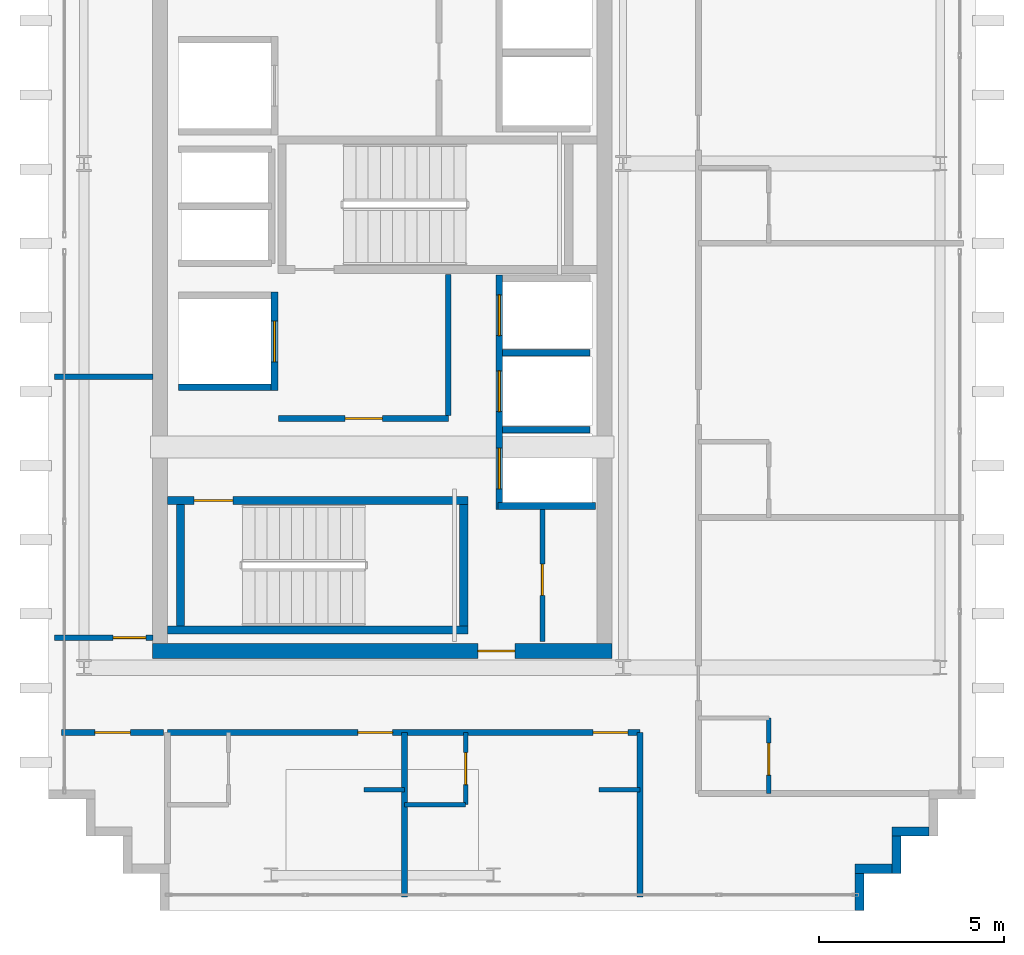
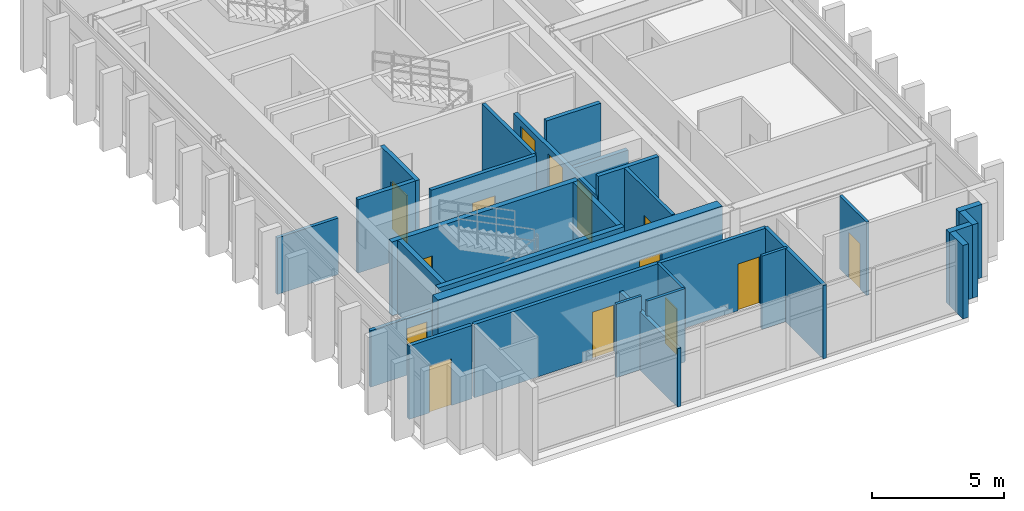
# One storey, part 12 of 15: 29 walls, 14 doors, 14 openings.
"""IFC4 building model written with IfcOpenShell, lengths in metres."""

from ifc_helpers import new_model, si_unit, direction, frame, frame_2d, origin, place, context, subcontext, project, spatial, rectangle, extrude, source, transform, mapped, material, layer, layer_set, type_object, element, fill, save


model = new_model("IFC4")

# Units and contexts
model_context = context("Model", 3, precision=1e-05, world=origin(), true_north=direction((0.0, 1.0)))
body_context = subcontext(model_context, "Body", "Model", "MODEL_VIEW")
ifc_project = project(units=[si_unit("LENGTHUNIT", "METRE"), si_unit("AREAUNIT", "SQUARE_METRE"), si_unit("VOLUMEUNIT", "CUBIC_METRE"), si_unit("PLANEANGLEUNIT", "RADIAN"), si_unit("MASSUNIT", "GRAM", prefix="KILO")], contexts=[model_context])

# Site, building, storey
site_placement = place(None, origin())
site = spatial("IfcSite", under=ifc_project, at=site_placement, CompositionType="ELEMENT")
building_placement = place(site_placement, origin())
building = spatial("IfcBuilding", under=site, at=building_placement, Name="Ocotamira Hotel", CompositionType="ELEMENT")
storey_placement = place(building_placement, frame((0.0, 0.0, 283.199951171875)))
storey = spatial("IfcBuildingStorey", under=building, at=storey_placement, Name="L72", CompositionType="ELEMENT", Elevation=283.199951171875)

# Wall, opening, door
ifc_material_1 = material(Name="Concrete C50/60", Category="concrete")
ifc_layer_1 = layer(ifc_material_1, 0.39990234375)
ifc_layer_set_1 = layer_set([ifc_layer_1], Name="Concrete C50/60")
wall_type_1 = type_object("IfcWallType", Name="WL-CORE-400", PredefinedType="SHEAR", material=ifc_layer_set_1)
wall_1_placement = place(storey_placement, frame((10.800048828125, 15.0, 0.0), z_axis=(0.0, 0.0, 1.0), x_axis=(1.0, 0.0, 0.0)))
wall_1 = element("IfcWall", 1, at=wall_1_placement, inside=storey, type_object=wall_type_1, Name="L72 Shear Core Wall WCORE-S", PredefinedType="SHEAR", context=body_context, shape_type="SweptSolid", body=[
    extrude(rectangle(XDim=12.39990234375, YDim=0.39990234375, at=frame_2d((6.199951171875, 0.0))), origin(), (0.0, 0.0, 1.0), 3.380126953125),
])
opening_1_placement = place(wall_1_placement, frame((8.780029296875, 0.0, 0.0)))
opening_1 = element("IfcOpeningElement", 2, at=opening_1_placement, cuts=wall_1, Name="Opening D-FR2", PredefinedType="OPENING", context=body_context, shape_type="SweptSolid", body=[
    extrude(rectangle(XDim=1.0, YDim=2.14990234375, at=frame_2d((0.5, 1.074951171875))), frame((0.0, 0.2099609375, 0.0), z_axis=(0.0, -1.0, 0.0), x_axis=(1.0, 0.0, 0.0)), (0.0, 0.0, 1.0), 0.419921875),
])
ifc_material_2 = material(Name="Fire-rated acoustic timber-veneer door", Category="wood")
door_type_1 = type_object("IfcDoorType", Name="DR-FIRE-1000", OperationType="NOTDEFINED", PredefinedType="DOOR", material=ifc_material_2)
shared_shape_1 = source(origin(), body_context, "Body", "SweptSolid", [
    extrude(rectangle(XDim=1.0, YDim=2.14990234375, at=frame_2d((0.5, 1.074951171875))), frame((0.0, 0.02490234375, 0.0), z_axis=(0.0, -1.0, 0.0), x_axis=(1.0, 0.0, 0.0)), (0.0, 0.0, 1.0), 0.050048828125),
])
door_1_placement = place(opening_1_placement, origin())
door_1 = element("IfcDoor", 3, at=door_1_placement, inside=storey, type_object=door_type_1, Name="L72 Door ID-L72-WLOB-S-D [ID-L72-WLOB-S-D]", OperationType="SINGLE_SWING_LEFT", OverallHeight=2.14990234375, OverallWidth=1.0, PredefinedType="DOOR", context=body_context, shape_type="MappedRepresentation", body=[
    mapped(shared_shape_1, transform((0.0, 0.0, 0.0), scale=1.0)),
])
fill(opening_1, door_1)

# Walls
ifc_material_3 = material(Name="Precast concrete C45/55", Category="concrete")
ifc_layer_2 = layer(ifc_material_3, 0.25)
ifc_layer_set_2 = layer_set([ifc_layer_2], Name="Precast concrete C45/55")
wall_type_2 = type_object("IfcWallType", Name="WL-EXT-SER-250", PredefinedType="SOLIDWALL", material=ifc_layer_set_2)
for number, where, z_axis, x_axis, name in (
    (4, (29.875, 8.0, 0.0), (0.0, 0.0, 1.0), (0.0, 1.0, 0.0), "L72 Serrated Corner Wall 01"),
    (5, (29.75, 9.125, 0.0), (0.0, 0.0, 1.0), (1.0, 0.0, 0.0), "L72 Serrated Corner Wall 02"),
    (6, (30.875, 9.0, 0.0), (0.0, 0.0, 1.0), (0.0, 1.0, 0.0), "L72 Serrated Corner Wall 03"),
    (7, (30.75, 10.125, 0.0), (0.0, 0.0, 1.0), (1.0, 0.0, 0.0), "L72 Serrated Corner Wall 04"),
):
    element("IfcWall", number, at=place(storey_placement, frame(where, z_axis=z_axis, x_axis=x_axis)), inside=storey, type_object=wall_type_2, Name=name, PredefinedType="SOLIDWALL", context=body_context, shape_type="SweptSolid", body=[
        extrude(rectangle(XDim=1.0, YDim=0.25, at=frame_2d((0.5, 0.0))), origin(), (0.0, 0.0, 1.0), 3.380126953125),
    ])

# Wall, opening, door
ifc_material_4 = material(Name="Acoustic double-layer fire gypsum board partition", Category="gypsum")
ifc_layer_3 = layer(ifc_material_4, 0.159912109375)
ifc_layer_set_3 = layer_set([ifc_layer_3], Name="Acoustic double-layer fire gypsum board partition")
wall_type_3 = type_object("IfcWallType", Name="WL-FIRE-160", PredefinedType="PARTITIONING", material=ifc_layer_set_3)
wall_2_placement = place(storey_placement, frame((14.199951171875, 21.27001953125, 0.0), z_axis=(0.0, 0.0, 1.0), x_axis=(1.0, 0.0, 0.0)))
wall_2 = element("IfcWall", 8, at=wall_2_placement, inside=storey, type_object=wall_type_3, Name="L72 Interior Wall PW-L72-FSAE1-S", PredefinedType="PARTITIONING", context=body_context, shape_type="SweptSolid", body=[
    extrude(rectangle(XDim=4.580078125, YDim=0.159912109375, at=frame_2d((2.2900390625, 0.0))), origin(), (0.0, 0.0, 1.0), 3.380126953125),
])
opening_2_placement = place(wall_2_placement, frame((1.800048828125, 0.0, 0.0)))
opening_2 = element("IfcOpeningElement", 9, at=opening_2_placement, cuts=wall_2, Name="Opening D-FR2", PredefinedType="OPENING", context=body_context, shape_type="SweptSolid", body=[
    extrude(rectangle(XDim=1.0, YDim=2.14990234375, at=frame_2d((0.5, 1.074951171875))), frame((0.0, 0.08984375, 0.0), z_axis=(0.0, -1.0, 0.0), x_axis=(1.0, 0.0, 0.0)), (0.0, 0.0, 1.0), 0.179931640625),
])
door_2_placement = place(opening_2_placement, origin())
door_2 = element("IfcDoor", 10, at=door_2_placement, inside=storey, type_object=door_type_1, Name="L72 Door ID-L72-FSAE1-D [ID-L72-FSAE1-D]", OperationType="SINGLE_SWING_LEFT", OverallHeight=2.14990234375, OverallWidth=1.0, PredefinedType="DOOR", context=body_context, shape_type="MappedRepresentation", body=[
    mapped(shared_shape_1, transform((0.0, 0.0, 0.0), scale=1.0)),
])
fill(opening_2, door_2)

# Wall
wall_3_placement = place(storey_placement, frame((18.780029296875, 21.35009765625, 0.0), z_axis=(0.0, 0.0, 1.0), x_axis=(0.0, 1.0, 0.0)))
element("IfcWall", 11, at=wall_3_placement, inside=storey, type_object=wall_type_3, Name="L72 Interior Wall PW-L72-FSAE1-E", PredefinedType="PARTITIONING", context=body_context, shape_type="SweptSolid", body=[
    extrude(rectangle(XDim=3.809814453125, YDim=0.159912109375, at=frame_2d((1.90478515625, 0.0))), origin(), (0.0, 0.0, 1.0), 3.380126953125),
])

# Wall, openings, doors
wall_4_placement = place(storey_placement, frame((11.199951171875, 12.800048828125, 0.0), z_axis=(0.0, 0.0, 1.0), x_axis=(1.0, 0.0, 0.0)))
wall_4 = element("IfcWall", 12, at=wall_4_placement, inside=storey, type_object=wall_type_3, Name="L72 Interior Wall PW-L72-WP1S-CORRW", PredefinedType="PARTITIONING", context=body_context, shape_type="SweptSolid", body=[
    extrude(rectangle(XDim=12.75, YDim=0.159912109375, at=frame_2d((6.375, 0.0))), origin(), (0.0, 0.0, 1.0), 3.380126953125),
])
opening_3_placement = place(wall_4_placement, frame((5.139892578125, 0.0, 0.0)))
opening_3 = element("IfcOpeningElement", 13, at=opening_3_placement, cuts=wall_4, Name="Opening D-GR1", PredefinedType="OPENING", context=body_context, shape_type="SweptSolid", body=[
    extrude(rectangle(XDim=0.93994140625, YDim=2.14990234375, at=frame_2d((0.469970703125, 1.074951171875))), frame((0.0, 0.08984375, 0.0), z_axis=(0.0, -1.0, 0.0), x_axis=(1.0, 0.0, 0.0)), (0.0, 0.0, 1.0), 0.179931640625),
])
opening_4_placement = place(wall_4_placement, frame((11.489990234375, 0.0, 0.0)))
opening_4 = element("IfcOpeningElement", 14, at=opening_4_placement, cuts=wall_4, Name="Opening D-GR1", PredefinedType="OPENING", context=body_context, shape_type="SweptSolid", body=[
    extrude(rectangle(XDim=0.93994140625, YDim=2.14990234375, at=frame_2d((0.469970703125, 1.074951171875))), frame((0.0, 0.08984375, 0.0), z_axis=(0.0, -1.0, 0.0), x_axis=(1.0, 0.0, 0.0)), (0.0, 0.0, 1.0), 0.179931640625),
])
ifc_material_5 = material(Name="Solid-core walnut suite entrance fire door", Category="wood")
door_type_2 = type_object("IfcDoorType", Name="DR-GUEST-940", OperationType="NOTDEFINED", PredefinedType="DOOR", material=ifc_material_5)
shared_shape_2 = source(origin(), body_context, "Body", "SweptSolid", [
    extrude(rectangle(XDim=0.93994140625, YDim=2.14990234375, at=frame_2d((0.469970703125, 1.074951171875))), frame((0.0, 0.02490234375, 0.0), z_axis=(0.0, -1.0, 0.0), x_axis=(1.0, 0.0, 0.0)), (0.0, 0.0, 1.0), 0.050048828125),
])
door_3_placement = place(opening_3_placement, origin())
door_3 = element("IfcDoor", 15, at=door_3_placement, inside=storey, type_object=door_type_2, Name="L72 Door ID-L72-WP1S-RMD1 [ID-L72-WP1S-RMD1]", OperationType="SINGLE_SWING_LEFT", OverallHeight=2.14990234375, OverallWidth=0.93994140625, PredefinedType="DOOR", context=body_context, shape_type="MappedRepresentation", body=[
    mapped(shared_shape_2, transform((0.0, 0.0, 0.0), scale=1.0)),
])
fill(opening_3, door_3)
door_4_placement = place(opening_4_placement, origin())
door_4 = element("IfcDoor", 16, at=door_4_placement, inside=storey, type_object=door_type_2, Name="L72 Door ID-L72-WP1S-RMD2 [ID-L72-WP1S-RMD2]", OperationType="SINGLE_SWING_RIGHT", OverallHeight=2.14990234375, OverallWidth=0.93994140625, PredefinedType="DOOR", context=body_context, shape_type="MappedRepresentation", body=[
    mapped(shared_shape_2, transform((0.0, 0.0, 0.0), scale=1.0)),
])
fill(opening_4, door_4)

# Wall, opening, door
wall_5_placement = place(storey_placement, frame((8.35009765625, 12.800048828125, 0.0), z_axis=(0.0, 0.0, 1.0), x_axis=(1.0, 0.0, 0.0)))
wall_5 = element("IfcWall", 17, at=wall_5_placement, inside=storey, type_object=wall_type_3, Name="L72 Interior Wall PW-L72-WPCSW1-CW", PredefinedType="PARTITIONING", context=body_context, shape_type="SweptSolid", body=[
    extrude(rectangle(XDim=2.75, YDim=0.159912109375, at=frame_2d((1.375, 0.0))), origin(), (0.0, 0.0, 1.0), 3.380126953125),
])
opening_5_placement = place(wall_5_placement, frame((0.89501953125, 0.0, 0.0)))
opening_5 = element("IfcOpeningElement", 18, at=opening_5_placement, cuts=wall_5, Name="Opening D-SV4", PredefinedType="OPENING", context=body_context, shape_type="SweptSolid", body=[
    extrude(rectangle(XDim=0.9599609375, YDim=2.14990234375, at=frame_2d((0.47998046875, 1.074951171875))), frame((0.0, 0.08984375, 0.0), z_axis=(0.0, -1.0, 0.0), x_axis=(1.0, 0.0, 0.0)), (0.0, 0.0, 1.0), 0.179931640625),
])
ifc_material_6 = material(Name="Fire-rated accessible walnut salon door", Category="wood")
door_type_3 = type_object("IfcDoorType", Name="DR-SERV-960", OperationType="NOTDEFINED", PredefinedType="DOOR", material=ifc_material_6)
shared_shape_3 = source(origin(), body_context, "Body", "SweptSolid", [
    extrude(rectangle(XDim=0.9599609375, YDim=2.14990234375, at=frame_2d((0.47998046875, 1.074951171875))), frame((0.0, 0.02490234375, 0.0), z_axis=(0.0, -1.0, 0.0), x_axis=(1.0, 0.0, 0.0)), (0.0, 0.0, 1.0), 0.050048828125),
])
door_5_placement = place(opening_5_placement, origin())
door_5 = element("IfcDoor", 19, at=door_5_placement, inside=storey, type_object=door_type_3, Name="L72 Door ID-L72-WPCSW1-CD [ID-L72-WPCSW1-CD]", OperationType="SINGLE_SWING_LEFT", OverallHeight=2.14990234375, OverallWidth=0.9599609375, PredefinedType="DOOR", context=body_context, shape_type="MappedRepresentation", body=[
    mapped(shared_shape_3, transform((0.0, 0.0, 0.0), scale=1.0)),
])
fill(opening_5, door_5)

# Wall
ifc_material_7 = material(Name="Moisture-resistant en-suite tile and gypsum partition", Category="gypsum")
ifc_layer_4 = layer(ifc_material_7, 0.1201171875)
ifc_layer_set_4 = layer_set([ifc_layer_4], Name="Moisture-resistant en-suite tile and gypsum partition")
wall_type_4 = type_object("IfcWallType", Name="WL-PART-120", PredefinedType="PARTITIONING", material=ifc_layer_set_4)
wall_6_placement = place(storey_placement, frame((16.5, 11.25, 0.0), z_axis=(0.0, 0.0, 1.0), x_axis=(1.0, 0.0, 0.0)))
element("IfcWall", 20, at=wall_6_placement, inside=storey, type_object=wall_type_4, Name="L72 Interior Wall PW-L72-WP1S-DRN1", PredefinedType="PARTITIONING", context=body_context, shape_type="SweptSolid", body=[
    extrude(rectangle(XDim=1.10009765625, YDim=0.1201171875, at=frame_2d((0.550048828125, 0.0))), origin(), (0.0, 0.0, 1.0), 3.380126953125),
])

# Wall, opening, door
wall_7_placement = place(storey_placement, frame((19.25, 10.85009765625, 0.0), z_axis=(0.0, 0.0, 1.0), x_axis=(0.0, 1.0, 0.0)))
wall_7 = element("IfcWall", 21, at=wall_7_placement, inside=storey, type_object=wall_type_4, Name="L72 Interior Wall PW-L72-WP1S-BAE2", PredefinedType="PARTITIONING", context=body_context, shape_type="SweptSolid", body=[
    extrude(rectangle(XDim=1.949951171875, YDim=0.1201171875, at=frame_2d((0.97509765625, 0.0))), origin(), (0.0, 0.0, 1.0), 3.380126953125),
])
opening_6_placement = place(wall_7_placement, frame((0.544921875, 0.0, 0.0)))
opening_6 = element("IfcOpeningElement", 22, at=opening_6_placement, cuts=wall_7, Name="Opening D-BA1", PredefinedType="OPENING", context=body_context, shape_type="SweptSolid", body=[
    extrude(rectangle(XDim=0.860107421875, YDim=2.10009765625, at=frame_2d((0.43017578125, 1.050048828125))), frame((0.0, 0.070068359375, 0.0), z_axis=(0.0, -1.0, 0.0), x_axis=(1.0, 0.0, 0.0)), (0.0, 0.0, 1.0), 0.14013671875),
])
ifc_material_8 = material(Name="Moisture-sealed en-suite timber door", Category="wood")
door_type_4 = type_object("IfcDoorType", Name="DR-BATH-860", OperationType="NOTDEFINED", PredefinedType="DOOR", material=ifc_material_8)
shared_shape_4 = source(origin(), body_context, "Body", "SweptSolid", [
    extrude(rectangle(XDim=0.860107421875, YDim=2.10009765625, at=frame_2d((0.43017578125, 1.050048828125))), frame((0.0, 0.02490234375, 0.0), z_axis=(0.0, -1.0, 0.0), x_axis=(1.0, 0.0, 0.0)), (0.0, 0.0, 1.0), 0.050048828125),
])
door_6_placement = place(opening_6_placement, origin())
door_6 = element("IfcDoor", 23, at=door_6_placement, inside=storey, type_object=door_type_4, Name="L72 Door ID-L72-WP1S-BAD2 [ID-L72-WP1S-BAD2]", OperationType="SINGLE_SWING_LEFT", OverallHeight=2.10009765625, OverallWidth=0.860107421875, PredefinedType="DOOR", context=body_context, shape_type="MappedRepresentation", body=[
    mapped(shared_shape_4, transform((0.0, 0.0, 0.0), scale=1.0)),
])
fill(opening_6, door_6)

# Walls
wall_8_placement = place(storey_placement, frame((17.60009765625, 10.85009765625, 0.0), z_axis=(0.0, 0.0, 1.0), x_axis=(1.0, 0.0, 0.0)))
element("IfcWall", 24, at=wall_8_placement, inside=storey, type_object=wall_type_4, Name="L72 Interior Wall PW-L72-WP1S-BAS2", PredefinedType="PARTITIONING", context=body_context, shape_type="SweptSolid", body=[
    extrude(rectangle(XDim=1.64990234375, YDim=0.1201171875, at=frame_2d((0.824951171875, 0.0))), origin(), (0.0, 0.0, 1.0), 3.380126953125),
])
wall_9_placement = place(storey_placement, frame((22.85009765625, 11.25, 0.0), z_axis=(0.0, 0.0, 1.0), x_axis=(1.0, 0.0, 0.0)))
element("IfcWall", 25, at=wall_9_placement, inside=storey, type_object=wall_type_4, Name="L72 Interior Wall PW-L72-WP1S-DRN2", PredefinedType="PARTITIONING", context=body_context, shape_type="SweptSolid", body=[
    extrude(rectangle(XDim=1.099853515625, YDim=0.1201171875, at=frame_2d((0.5498046875, 0.0))), origin(), (0.0, 0.0, 1.0), 3.380126953125),
])

# Wall, opening, door
wall_10_placement = place(storey_placement, frame((27.429931640625, 11.14990234375, 0.0), z_axis=(0.0, 0.0, 1.0), x_axis=(0.0, 1.0, 0.0)))
wall_10 = element("IfcWall", 26, at=wall_10_placement, inside=storey, type_object=wall_type_4, Name="L72 Interior Wall PW-L72-WP-EBE1", PredefinedType="PARTITIONING", context=body_context, shape_type="SweptSolid", body=[
    extrude(rectangle(XDim=2.0400390625, YDim=0.1201171875, at=frame_2d((1.02001953125, 0.0))), origin(), (0.0, 0.0, 1.0), 3.380126953125),
])
opening_7_placement = place(wall_10_placement, frame((0.5, 0.0, 0.0)))
opening_7 = element("IfcOpeningElement", 27, at=opening_7_placement, cuts=wall_10, Name="Opening D-BA1", PredefinedType="OPENING", context=body_context, shape_type="SweptSolid", body=[
    extrude(rectangle(XDim=0.860107421875, YDim=2.10009765625, at=frame_2d((0.43017578125, 1.050048828125))), frame((0.0, 0.070068359375, 0.0), z_axis=(0.0, -1.0, 0.0), x_axis=(1.0, 0.0, 0.0)), (0.0, 0.0, 1.0), 0.14013671875),
])
door_7_placement = place(opening_7_placement, origin())
door_7 = element("IfcDoor", 28, at=door_7_placement, inside=storey, type_object=door_type_4, Name="L72 Door ID-L72-WP-EBD1 [ID-L72-WP-EBD1]", OperationType="SINGLE_SWING_LEFT", OverallHeight=2.10009765625, OverallWidth=0.860107421875, PredefinedType="DOOR", context=body_context, shape_type="MappedRepresentation", body=[
    mapped(shared_shape_4, transform((0.0, 0.0, 0.0), scale=1.0)),
])
fill(opening_7, door_7)

ifc_material_9 = material(Name="Acoustic hospitality gypsum board partition", Category="gypsum")
ifc_layer_5 = layer(ifc_material_9, 0.14208984375)
ifc_layer_set_5 = layer_set([ifc_layer_5], Name="Acoustic hospitality gypsum board partition")
wall_type_5 = type_object("IfcWallType", Name="WL-PART-142", PredefinedType="PARTITIONING", material=ifc_layer_set_5)
wall_11_placement = place(storey_placement, frame((21.320068359375, 15.25, 0.0), z_axis=(0.0, 0.0, 1.0), x_axis=(0.0, 1.0, 0.0)))
wall_11 = element("IfcWall", 29, at=wall_11_placement, inside=storey, type_object=wall_type_5, Name="L72 Interior Wall PW-L72-WC-SE-W", PredefinedType="PARTITIONING", context=body_context, shape_type="SweptSolid", body=[
    extrude(rectangle(XDim=3.590087890625, YDim=0.14208984375, at=frame_2d((1.794921875, 0.0))), origin(), (0.0, 0.0, 1.0), 3.380126953125),
])
opening_8_placement = place(wall_11_placement, frame((1.25, 0.0, 0.0)))
opening_8 = element("IfcOpeningElement", 30, at=opening_8_placement, cuts=wall_11, Name="Opening D-SV1", PredefinedType="OPENING", context=body_context, shape_type="SweptSolid", body=[
    extrude(rectangle(XDim=0.840087890625, YDim=2.10009765625, at=frame_2d((0.419921875, 1.050048828125))), frame((0.0, 0.0810546875, 0.0), z_axis=(0.0, -1.0, 0.0), x_axis=(1.0, 0.0, 0.0)), (0.0, 0.0, 1.0), 0.162109375),
])
ifc_material_10 = material(Name="Fire-rated painted steel service door", Category="steel")
door_type_5 = type_object("IfcDoorType", Name="DR-SERV-840", OperationType="NOTDEFINED", PredefinedType="DOOR", material=ifc_material_10)
shared_shape_5 = source(origin(), body_context, "Body", "SweptSolid", [
    extrude(rectangle(XDim=0.840087890625, YDim=2.10009765625, at=frame_2d((0.419921875, 1.050048828125))), frame((0.0, 0.02490234375, 0.0), z_axis=(0.0, -1.0, 0.0), x_axis=(1.0, 0.0, 0.0)), (0.0, 0.0, 1.0), 0.050048828125),
])
door_8_placement = place(opening_8_placement, origin())
door_8 = element("IfcDoor", 31, at=door_8_placement, inside=storey, type_object=door_type_5, Name="L72 Door ID-L72-WC-SE-D [ID-L72-WC-SE-D]", OperationType="SINGLE_SWING_RIGHT", OverallHeight=2.10009765625, OverallWidth=0.840087890625, PredefinedType="DOOR", context=body_context, shape_type="MappedRepresentation", body=[
    mapped(shared_shape_5, transform((0.0, 0.0, 0.0), scale=1.0)),
])
fill(opening_8, door_8)

# Wall
wall_12_placement = place(storey_placement, frame((8.159912109375, 22.39990234375, 0.0), z_axis=(0.0, 0.0, 1.0), x_axis=(1.0, 0.0, 0.0)))
element("IfcWall", 32, at=wall_12_placement, inside=storey, type_object=wall_type_5, Name="L72 Interior Wall PW-L72-WP1W-DV1", PredefinedType="PARTITIONING", context=body_context, shape_type="SweptSolid", body=[
    extrude(rectangle(XDim=2.66015625, YDim=0.14208984375, at=frame_2d((1.330078125, 0.0))), origin(), (0.0, 0.0, 1.0), 2.60107421875),
])

# Wall, opening, door
ifc_layer_6 = layer(ifc_material_9, 0.14990234375)
ifc_layer_set_6 = layer_set([ifc_layer_6], Name="Acoustic hospitality gypsum board partition")
wall_type_6 = type_object("IfcWallType", Name="WL-PART-150", PredefinedType="PARTITIONING", material=ifc_layer_set_6)
wall_13_placement = place(storey_placement, frame((8.159912109375, 15.360107421875, 0.0), z_axis=(0.0, 0.0, 1.0), x_axis=(1.0, 0.0, 0.0)))
wall_13 = element("IfcWall", 33, at=wall_13_placement, inside=storey, type_object=wall_type_6, Name="L72 Interior Wall PW-L72-WP1W-WS", PredefinedType="PARTITIONING", context=body_context, shape_type="SweptSolid", body=[
    extrude(rectangle(XDim=2.66015625, YDim=0.14990234375, at=frame_2d((1.330078125, 0.0))), origin(), (0.0, 0.0, 1.0), 2.60107421875),
])
opening_9_placement = place(wall_13_placement, frame((1.580078125, 0.0, 0.0)))
opening_9 = element("IfcOpeningElement", 34, at=opening_9_placement, cuts=wall_13, Name="Opening D-SV2", PredefinedType="OPENING", context=body_context, shape_type="SweptSolid", body=[
    extrude(rectangle(XDim=0.8798828125, YDim=2.14990234375, at=frame_2d((0.43994140625, 1.074951171875))), frame((0.0, 0.0849609375, 0.0), z_axis=(0.0, -1.0, 0.0), x_axis=(1.0, 0.0, 0.0)), (0.0, 0.0, 1.0), 0.169921875),
])
door_type_6 = type_object("IfcDoorType", Name="DR-SERV-880", OperationType="NOTDEFINED", PredefinedType="DOOR", material=ifc_material_10)
shared_shape_6 = source(origin(), body_context, "Body", "SweptSolid", [
    extrude(rectangle(XDim=0.8798828125, YDim=2.14990234375, at=frame_2d((0.43994140625, 1.074951171875))), frame((0.0, 0.02490234375, 0.0), z_axis=(0.0, -1.0, 0.0), x_axis=(1.0, 0.0, 0.0)), (0.0, 0.0, 1.0), 0.050048828125),
])
door_9_placement = place(opening_9_placement, origin())
door_9 = element("IfcDoor", 35, at=door_9_placement, inside=storey, type_object=door_type_6, Name="L72 Door ID-L72-WP1W-DS [ID-L72-WP1W-DS]", OperationType="SINGLE_SWING_LEFT", OverallHeight=2.14990234375, OverallWidth=0.8798828125, PredefinedType="DOOR", context=body_context, shape_type="MappedRepresentation", body=[
    mapped(shared_shape_6, transform((0.0, 0.0, 0.0), scale=1.0)),
])
fill(opening_9, door_9)

# Walls
ifc_material_11 = material(Name="Acoustic double-stud hospitality gypsum partition", Category="gypsum")
ifc_layer_7 = layer(ifc_material_11, 0.159912109375)
ifc_layer_set_7 = layer_set([ifc_layer_7], Name="Acoustic double-stud hospitality gypsum partition")
wall_type_7 = type_object("IfcWallType", Name="WL-PART-160", PredefinedType="PARTITIONING", material=ifc_layer_set_7)
wall_14_placement = place(storey_placement, frame((23.949951171875, 8.360107421875, 0.0), z_axis=(0.0, 0.0, 1.0), x_axis=(0.0, 1.0, 0.0)))
element("IfcWall", 36, at=wall_14_placement, inside=storey, type_object=wall_type_7, Name="L72 Interior Wall PW-L72-WP1S-PWEND", PredefinedType="PARTITIONING", context=body_context, shape_type="SweptSolid", body=[
    extrude(rectangle(XDim=4.43994140625, YDim=0.159912109375, at=frame_2d((2.219970703125, 0.0))), origin(), (0.0, 0.0, 1.0), 3.380126953125),
])
wall_15_placement = place(storey_placement, frame((17.60009765625, 8.360107421875, 0.0), z_axis=(0.0, 0.0, 1.0), x_axis=(0.0, 1.0, 0.0)))
element("IfcWall", 37, at=wall_15_placement, inside=storey, type_object=wall_type_7, Name="L72 Interior Wall PW-L72-WP1S-PW1", PredefinedType="PARTITIONING", context=body_context, shape_type="SweptSolid", body=[
    extrude(rectangle(XDim=4.43994140625, YDim=0.159912109375, at=frame_2d((2.219970703125, 0.0))), origin(), (0.0, 0.0, 1.0), 2.68701171875),
])

# Wall, openings, doors
ifc_material_12 = material(Name="Fire-rated gypsum shaftliner board assembly", Category="gypsum")
ifc_layer_8 = layer(ifc_material_12, 0.179931640625)
ifc_layer_set_8 = layer_set([ifc_layer_8], Name="Fire-rated gypsum shaftliner board assembly")
wall_type_8 = type_object("IfcWallType", Name="WL-SHAFT-180", PredefinedType="SOLIDWALL", material=ifc_layer_set_8)
wall_16_placement = place(storey_placement, frame((20.159912109375, 18.820068359375, 0.0), z_axis=(0.0, 0.0, 1.0), x_axis=(0.0, 1.0, 0.0)))
wall_16 = element("IfcWall", 38, at=wall_16_placement, inside=storey, type_object=wall_type_8, Name="L72 Interior Wall PW-L72-LFW-BANK-high-F", PredefinedType="SOLIDWALL", context=body_context, shape_type="SweptSolid", body=[
    extrude(rectangle(XDim=6.31982421875, YDim=0.179931640625, at=frame_2d((3.159912109375, 0.0))), origin(), (0.0, 0.0, 1.0), 2.47998046875),
])
opening_10_placement = place(wall_16_placement, frame((0.554931640625, 0.0, 0.0)))
opening_10 = element("IfcOpeningElement", 39, at=opening_10_placement, cuts=wall_16, Name="Opening LD-LF-P7", PredefinedType="OPENING", context=body_context, shape_type="SweptSolid", body=[
    extrude(rectangle(XDim=1.10009765625, YDim=2.199951171875, at=frame_2d((0.550048828125, 1.10009765625))), frame((0.0, 0.10009765625, 0.0), z_axis=(0.0, -1.0, 0.0), x_axis=(1.0, 0.0, 0.0)), (0.0, 0.0, 1.0), 0.199951171875),
])
opening_11_placement = place(wall_16_placement, frame((2.635009765625, 0.0, 0.0)))
opening_11 = element("IfcOpeningElement", 40, at=opening_11_placement, cuts=wall_16, Name="Opening LD-LF-P8", PredefinedType="OPENING", context=body_context, shape_type="SweptSolid", body=[
    extrude(rectangle(XDim=1.10009765625, YDim=2.199951171875, at=frame_2d((0.550048828125, 1.10009765625))), frame((0.0, 0.10009765625, 0.0), z_axis=(0.0, -1.0, 0.0), x_axis=(1.0, 0.0, 0.0)), (0.0, 0.0, 1.0), 0.199951171875),
])
opening_12_placement = place(wall_16_placement, frame((4.68994140625, 0.0, 0.0)))
opening_12 = element("IfcOpeningElement", 41, at=opening_12_placement, cuts=wall_16, Name="Opening LD-LF-P9", PredefinedType="OPENING", context=body_context, shape_type="SweptSolid", body=[
    extrude(rectangle(XDim=1.10009765625, YDim=2.199951171875, at=frame_2d((0.550048828125, 1.10009765625))), frame((0.0, 0.10009765625, 0.0), z_axis=(0.0, -1.0, 0.0), x_axis=(1.0, 0.0, 0.0)), (0.0, 0.0, 1.0), 0.199951171875),
])
ifc_material_13 = material(Name="Brushed pale-metal stainless elevator landing door", Category="steel")
door_type_7 = type_object("IfcDoorType", Name="DR-LIFT-1100", OperationType="NOTDEFINED", PredefinedType="DOOR", material=ifc_material_13)
shared_shape_7 = source(origin(), body_context, "Body", "SweptSolid", [
    extrude(rectangle(XDim=1.10009765625, YDim=2.199951171875, at=frame_2d((0.550048828125, 1.10009765625))), frame((0.0, 0.02490234375, 0.0), z_axis=(0.0, -1.0, 0.0), x_axis=(1.0, 0.0, 0.0)), (0.0, 0.0, 1.0), 0.050048828125),
])
door_10_placement = place(opening_10_placement, origin())
door_10 = element("IfcDoor", 42, at=door_10_placement, inside=storey, type_object=door_type_7, Name="L72 Landing Door LD-LF-P7 [ID-L72-LD-LF-P7]", OperationType="DOUBLE_DOOR_SLIDING", OverallHeight=2.199951171875, OverallWidth=1.10009765625, PredefinedType="DOOR", context=body_context, shape_type="MappedRepresentation", body=[
    mapped(shared_shape_7, transform((0.0, 0.0, 0.0), scale=1.0)),
])
fill(opening_10, door_10)
door_11_placement = place(opening_11_placement, origin())
door_11 = element("IfcDoor", 43, at=door_11_placement, inside=storey, type_object=door_type_7, Name="L72 Landing Door LD-LF-P8 [ID-L72-LD-LF-P8]", OperationType="DOUBLE_DOOR_SLIDING", OverallHeight=2.199951171875, OverallWidth=1.10009765625, PredefinedType="DOOR", context=body_context, shape_type="MappedRepresentation", body=[
    mapped(shared_shape_7, transform((0.0, 0.0, 0.0), scale=1.0)),
])
fill(opening_11, door_11)
door_12_placement = place(opening_12_placement, origin())
door_12 = element("IfcDoor", 44, at=door_12_placement, inside=storey, type_object=door_type_7, Name="L72 Landing Door LD-LF-P9 [ID-L72-LD-LF-P9]", OperationType="DOUBLE_DOOR_SLIDING", OverallHeight=2.199951171875, OverallWidth=1.10009765625, PredefinedType="DOOR", context=body_context, shape_type="MappedRepresentation", body=[
    mapped(shared_shape_7, transform((0.0, 0.0, 0.0), scale=1.0)),
])
fill(opening_12, door_12)

# Walls
wall_17_placement = place(storey_placement, frame((20.1201171875, 18.909912109375, 0.0), z_axis=(0.0, 0.0, 1.0), x_axis=(1.0, 0.0, 0.0)))
element("IfcWall", 45, at=wall_17_placement, inside=storey, type_object=wall_type_8, Name="L72 Interior Wall PW-L72-LFW-BANK-high-S", PredefinedType="SOLIDWALL", context=body_context, shape_type="SweptSolid", body=[
    extrude(rectangle(XDim=2.6298828125, YDim=0.179931640625, at=frame_2d((1.31494140625, 0.0))), origin(), (0.0, 0.0, 1.0), 3.380126953125),
])
wall_18_placement = place(storey_placement, frame((20.25, 20.965087890625, 0.0), z_axis=(0.0, 0.0, 1.0), x_axis=(1.0, 0.0, 0.0)))
element("IfcWall", 46, at=wall_18_placement, inside=storey, type_object=wall_type_8, Name="L72 Interior Wall PW-L72-LFW-DIV-LF-P7", PredefinedType="SOLIDWALL", context=body_context, shape_type="SweptSolid", body=[
    extrude(rectangle(XDim=2.360107421875, YDim=0.179931640625, at=frame_2d((1.18017578125, 0.0))), origin(), (0.0, 0.0, 1.0), 2.47998046875),
])
wall_19_placement = place(storey_placement, frame((20.25, 23.044921875, 0.0), z_axis=(0.0, 0.0, 1.0), x_axis=(1.0, 0.0, 0.0)))
element("IfcWall", 47, at=wall_19_placement, inside=storey, type_object=wall_type_8, Name="L72 Interior Wall PW-L72-LFW-DIV-LF-P8", PredefinedType="SOLIDWALL", context=body_context, shape_type="SweptSolid", body=[
    extrude(rectangle(XDim=2.360107421875, YDim=0.179931640625, at=frame_2d((1.18017578125, 0.0))), origin(), (0.0, 0.0, 1.0), 3.380126953125),
])
wall_20_placement = place(storey_placement, frame((11.5, 22.110107421875, 0.0), z_axis=(0.0, 0.0, 1.0), x_axis=(1.0, 0.0, 0.0)))
element("IfcWall", 48, at=wall_20_placement, inside=storey, type_object=wall_type_8, Name="L72 Interior Wall PW-L72-LFW-LF-FSAE1-S", PredefinedType="SOLIDWALL", context=body_context, shape_type="SweptSolid", body=[
    extrude(rectangle(XDim=2.5, YDim=0.179931640625, at=frame_2d((1.25, 0.0))), origin(), (0.0, 0.0, 1.0), 3.380126953125),
])

# Wall, opening, door
wall_21_placement = place(storey_placement, frame((14.090087890625, 22.02001953125, 0.0), z_axis=(0.0, 0.0, 1.0), x_axis=(0.0, 1.0, 0.0)))
wall_21 = element("IfcWall", 49, at=wall_21_placement, inside=storey, type_object=wall_type_8, Name="L72 Interior Wall PW-L72-LFW-LF-FSAE1-E", PredefinedType="SOLIDWALL", context=body_context, shape_type="SweptSolid", body=[
    extrude(rectangle(XDim=2.659912109375, YDim=0.179931640625, at=frame_2d((1.330078125, 0.0))), origin(), (0.0, 0.0, 1.0), 3.380126953125),
])
opening_13_placement = place(wall_21_placement, frame((0.780029296875, 0.0, 0.0)))
opening_13 = element("IfcOpeningElement", 50, at=opening_13_placement, cuts=wall_21, Name="Opening LD-LF-FSAE1", PredefinedType="OPENING", context=body_context, shape_type="SweptSolid", body=[
    extrude(rectangle(XDim=1.10009765625, YDim=2.199951171875, at=frame_2d((0.550048828125, 1.10009765625))), frame((0.0, 0.10009765625, 0.0), z_axis=(0.0, -1.0, 0.0), x_axis=(1.0, 0.0, 0.0)), (0.0, 0.0, 1.0), 0.199951171875),
])
door_13_placement = place(opening_13_placement, origin())
door_13 = element("IfcDoor", 51, at=door_13_placement, inside=storey, type_object=door_type_7, Name="L72 Landing Door LD-LF-FSAE1 [ID-L72-LD-LF-FSAE1]", OperationType="DOUBLE_DOOR_SLIDING", OverallHeight=2.199951171875, OverallWidth=1.10009765625, PredefinedType="DOOR", context=body_context, shape_type="MappedRepresentation", body=[
    mapped(shared_shape_7, transform((0.0, 0.0, 0.0), scale=1.0)),
])
fill(opening_13, door_13)

# Wall
ifc_layer_9 = layer(ifc_material_1, 0.219970703125)
ifc_layer_set_9 = layer_set([ifc_layer_9], Name="Concrete C50/60")
wall_type_9 = type_object("IfcWallType", Name="WL-STAIR-220", PredefinedType="SHEAR", material=ifc_layer_set_9)
wall_22_placement = place(storey_placement, frame((11.199951171875, 15.56005859375, 0.0), z_axis=(0.0, 0.0, 1.0), x_axis=(1.0, 0.0, 0.0)))
element("IfcWall", 52, at=wall_22_placement, inside=storey, type_object=wall_type_9, Name="L72 Stair Shaft Structural Wall ST-1-S", PredefinedType="SHEAR", context=body_context, shape_type="SweptSolid", body=[
    extrude(rectangle(XDim=8.110107421875, YDim=0.219970703125, at=frame_2d((4.05517578125, 0.0))), origin(), (0.0, 0.0, 1.0), 3.400146484375),
])

# Wall, opening, door
wall_23_placement = place(storey_placement, frame((11.199951171875, 19.06005859375, 0.0), z_axis=(0.0, 0.0, 1.0), x_axis=(1.0, 0.0, 0.0)))
wall_23 = element("IfcWall", 53, at=wall_23_placement, inside=storey, type_object=wall_type_9, Name="L72 Stair Shaft Structural Wall ST-1-N", PredefinedType="SHEAR", context=body_context, shape_type="SweptSolid", body=[
    extrude(rectangle(XDim=8.110107421875, YDim=0.219970703125, at=frame_2d((4.05517578125, 0.0))), origin(), (0.0, 0.0, 1.0), 3.400146484375),
])
opening_14_placement = place(wall_23_placement, frame((0.719970703125, 0.0, 0.0)))
opening_14 = element("IfcOpeningElement", 54, at=opening_14_placement, cuts=wall_23, Name="Opening D-ST2", PredefinedType="OPENING", context=body_context, shape_type="SweptSolid", body=[
    extrude(rectangle(XDim=1.050048828125, YDim=2.14990234375, at=frame_2d((0.52490234375, 1.074951171875))), frame((0.0, 0.1201171875, 0.0), z_axis=(0.0, -1.0, 0.0), x_axis=(1.0, 0.0, 0.0)), (0.0, 0.0, 1.0), 0.239990234375),
])
ifc_material_14 = material(Name="Insulated painted hollow-metal fire exit door", Category="steel")
door_type_8 = type_object("IfcDoorType", Name="DR-STAIR-1050", OperationType="NOTDEFINED", PredefinedType="DOOR", material=ifc_material_14)
shared_shape_8 = source(origin(), body_context, "Body", "SweptSolid", [
    extrude(rectangle(XDim=1.050048828125, YDim=2.14990234375, at=frame_2d((0.52490234375, 1.074951171875))), frame((0.0, 0.02490234375, 0.0), z_axis=(0.0, -1.0, 0.0), x_axis=(1.0, 0.0, 0.0)), (0.0, 0.0, 1.0), 0.050048828125),
])
door_14_placement = place(opening_14_placement, origin())
door_14 = element("IfcDoor", 55, at=door_14_placement, inside=storey, type_object=door_type_8, Name="L72 Door ID-L72-STD-ST-1 [ID-L72-STD-ST-1]", OperationType="SINGLE_SWING_LEFT", OverallHeight=2.14990234375, OverallWidth=1.050048828125, PredefinedType="DOOR", context=body_context, shape_type="MappedRepresentation", body=[
    mapped(shared_shape_8, transform((0.0, 0.0, 0.0), scale=1.0)),
])
fill(opening_14, door_14)

# Walls
for number, where, z_axis, x_axis, name in (
    (56, (11.56005859375, 15.669921875, 0.0), (0.0, 0.0, 1.0), (0.0, 1.0, 0.0), "L72 Stair Shaft Structural Wall ST-1-W"),
    (57, (19.199951171875, 15.669921875, 0.0), (0.0, 0.0, 1.0), (0.0, 1.0, 0.0), "L72 Stair Shaft Structural Wall ST-1-E"),
):
    element("IfcWall", number, at=place(storey_placement, frame(where, z_axis=z_axis, x_axis=x_axis)), inside=storey, type_object=wall_type_9, Name=name, PredefinedType="SHEAR", context=body_context, shape_type="SweptSolid", body=[
        extrude(rectangle(XDim=3.280029296875, YDim=0.219970703125, at=frame_2d((1.64013671875, 0.0))), origin(), (0.0, 0.0, 1.0), 3.400146484375),
    ])

save(model, "model.ifc")
